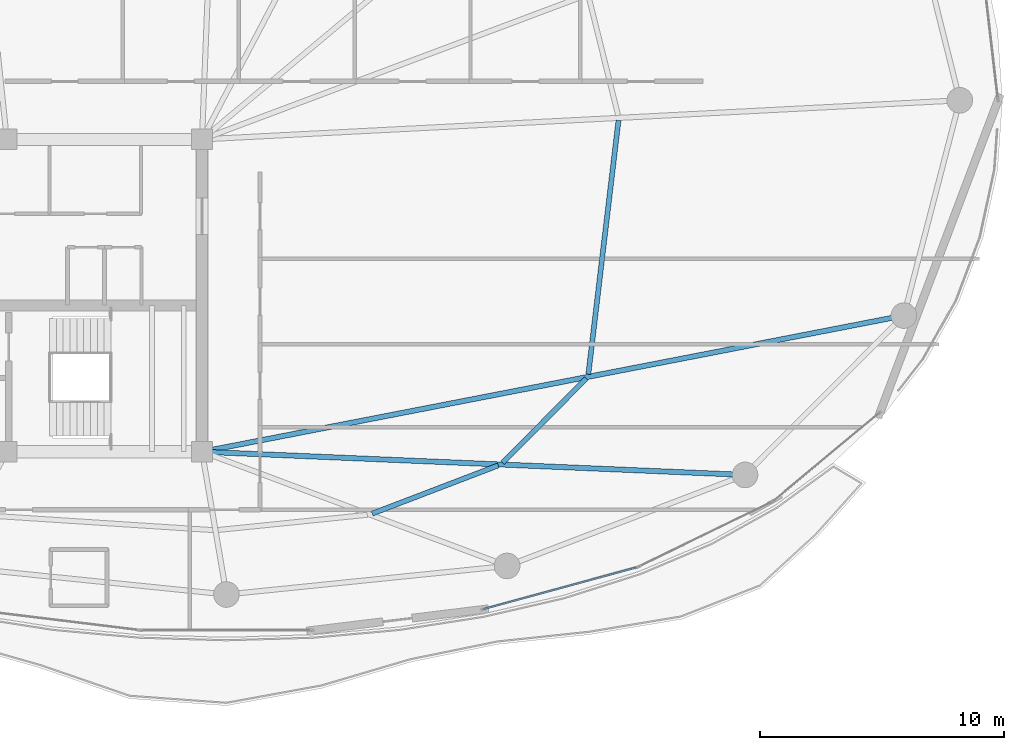
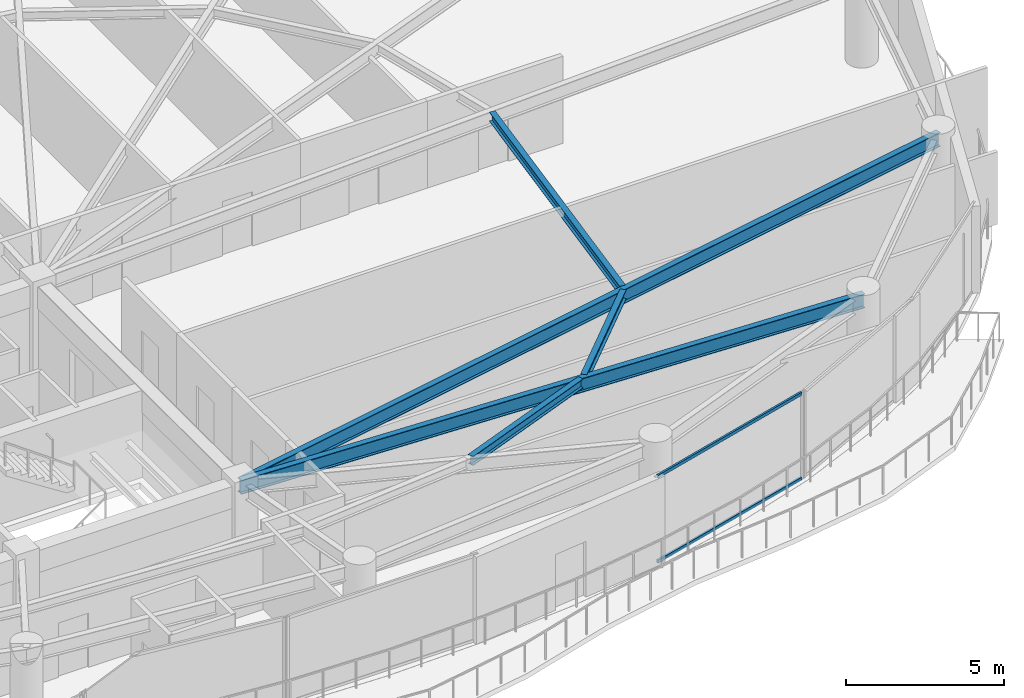
# One storey, part 12 of 31: 5 beams, 2 members, 1 element without a shape of its own.
"""IFC4 building model written with IfcOpenShell, lengths in metres."""

from ifc_helpers import new_model, si_unit, direction, frame, origin, origin_2d, place, context, subcontext, project, spatial, hollow_rectangle, i_section, extrude, material, layer, layer_set, material_profile, profile_set, type_object, element, aggregate, save


model = new_model("IFC4")

# Units and contexts
model_context = context("Model", 3, precision=1e-05, world=origin(), true_north=direction((0.0, 1.0)))
body_context = subcontext(model_context, "Body", "Model", "MODEL_VIEW")
ifc_project = project(units=[si_unit("LENGTHUNIT", "METRE"), si_unit("AREAUNIT", "SQUARE_METRE"), si_unit("VOLUMEUNIT", "CUBIC_METRE"), si_unit("PLANEANGLEUNIT", "RADIAN"), si_unit("MASSUNIT", "GRAM", prefix="KILO")], contexts=[model_context])

# Site, building, storey
site_placement = place(None, origin())
site = spatial("IfcSite", under=ifc_project, at=site_placement, CompositionType="ELEMENT")
building_placement = place(site_placement, origin())
building = spatial("IfcBuilding", under=site, at=building_placement, Name="Kazevale Care Tower and Concert Hall", CompositionType="ELEMENT")
storey_placement = place(building_placement, frame((0.0, 0.0, 206.39990234375)))
storey = spatial("IfcBuildingStorey", under=building, at=storey_placement, Name="L54", CompositionType="ELEMENT", Elevation=206.39990234375)

# Curtain wall, members
ifc_material_1 = material(Name="Aluminium 6063-T6 and Low-E Glass", Category="aluminium")
ifc_layer = layer(ifc_material_1, 0.179931640625)
ifc_layer_set = layer_set([ifc_layer], Name="Aluminium 6063-T6 and Low-E Glass")
curtain_wall_type = type_object("IfcCurtainWallType", Name="Sheltered Concave Balcony Curtain Wall CW-5", PredefinedType="NOTDEFINED", material=ifc_layer_set)
curtain_wall_placement = place(storey_placement, origin())
curtain_wall = element("IfcCurtainWall", 1, at=curtain_wall_placement, inside=storey, type_object=curtain_wall_type, Name="cw:L54:f04", PredefinedType="NOTDEFINED")
ifc_material_2 = material(Name="Aluminium 6063-T6", Category="aluminium")
ifc_material_profile_1 = material_profile(ifc_material_2, hollow_rectangle(XDim=0.074951171875, YDim=0.1201171875, WallThickness=0.00390625, at=origin_2d()), Name="ALU75x120x4")
ifc_profile_set_1 = profile_set([ifc_material_profile_1], Name="Aluminium 6063-T6")
member_type = type_object("IfcMemberType", Name="CW-5 Transom ALU75x120x4", PredefinedType="USERDEFINED", material=ifc_profile_set_1)
member_1_placement = place(storey_placement, frame((61.78369140625, 18.853271484375, 0.03759765625), z_axis=(-0.964843890632, -0.262823641842, 0.0), x_axis=(0.262823641842, -0.964843890632, 0.0)))
member_1 = element("IfcMember", 2, at=member_1_placement, type_object=member_type, Name="CW-5 transom 1.1", ObjectType="TRANSOM", PredefinedType="USERDEFINED", context=body_context, shape_type="SweptSolid", body=[
    extrude(hollow_rectangle(XDim=0.074951171875, YDim=0.1201171875, WallThickness=0.00390625, at=origin_2d()), origin(), (0.0, 0.0, 1.0), 6.469970703125),
])
member_2_placement = place(storey_placement, frame((61.78369140625, 18.853271484375, 3.322509765625), z_axis=(-0.964843890632, -0.262823641842, 0.0), x_axis=(0.262823641842, -0.964843890632, 0.0)))
member_2 = element("IfcMember", 3, at=member_2_placement, type_object=member_type, Name="CW-5 transom 1.2", ObjectType="TRANSOM", PredefinedType="USERDEFINED", context=body_context, shape_type="SweptSolid", body=[
    extrude(hollow_rectangle(XDim=0.074951171875, YDim=0.1201171875, WallThickness=0.00390625, at=origin_2d()), origin(), (0.0, 0.0, 1.0), 6.469970703125),
])
aggregate(curtain_wall, [member_1, member_2])

# Beams
ifc_material_3 = material(Name="Steel ASTM A572 Gr 50", Category="steel")
ifc_material_profile_2 = material_profile(ifc_material_3, i_section(OverallWidth=0.2119140625, OverallDepth=0.5439453125, WebThickness=0.01318359375, FlangeThickness=0.021240234375, at=origin_2d()), Name="W530x123")
ifc_profile_set_2 = profile_set([ifc_material_profile_2], Name="Steel ASTM A572 Gr 50")
beam_type_1 = type_object("IfcBeamType", Name="Radial Floor Girder W530x123", PredefinedType="BEAM", material=ifc_profile_set_2)
beam_1_placement = place(storey_placement, frame((44.0, 23.60009765625, 3.088134765625), z_axis=(0.999089369477, -0.042666518456, 0.0), x_axis=(0.042666518456, 0.999089369477, 0.0)))
element("IfcBeam", 4, at=beam_1_placement, inside=storey, type_object=beam_type_1, Name="beam:L54:rad:15", PredefinedType="BEAM", context=body_context, shape_type="SweptSolid", body=[
    extrude(i_section(OverallWidth=0.2119140625, OverallDepth=0.5439453125, WebThickness=0.01318359375, FlangeThickness=0.021240234375, at=origin_2d()), origin(), (0.0, 0.0, 1.0), 22.270263671875),
])
beam_2_placement = place(storey_placement, frame((44.0, 23.60009765625, 3.088134765625), z_axis=(0.981694544574, 0.190462125247, 0.0), x_axis=(-0.190462125247, 0.981694544574, 0.0)))
element("IfcBeam", 5, at=beam_2_placement, inside=storey, type_object=beam_type_1, Name="beam:L54:rad:16", PredefinedType="BEAM", context=body_context, shape_type="SweptSolid", body=[
    extrude(i_section(OverallWidth=0.2119140625, OverallDepth=0.5439453125, WebThickness=0.01318359375, FlangeThickness=0.021240234375, at=origin_2d()), origin(), (0.0, 0.0, 1.0), 29.29638671875),
])
ifc_material_profile_3 = material_profile(ifc_material_3, i_section(OverallWidth=0.205078125, OverallDepth=0.35400390625, WebThickness=0.009521484375, FlangeThickness=0.016845703125, at=origin_2d()), Name="W360x79")
ifc_profile_set_3 = profile_set([ifc_material_profile_3], Name="Steel ASTM A572 Gr 50")
beam_type_2 = type_object("IfcBeamType", Name="Secondary Floor Joist W360x79", PredefinedType="JOIST", material=ifc_profile_set_3)
beam_3_placement = place(storey_placement, frame((50.972900390625, 21.06396484375, 3.18310546875), z_axis=(0.934001589337, 0.35726884991, 0.0), x_axis=(-0.35726884991, 0.934001589337, 0.0)))
element("IfcBeam", 6, at=beam_3_placement, inside=storey, type_object=beam_type_2, Name="beam:L54:joist:14", PredefinedType="JOIST", context=body_context, shape_type="SweptSolid", body=[
    extrude(i_section(OverallWidth=0.205078125, OverallDepth=0.35400390625, WebThickness=0.009521484375, FlangeThickness=0.016845703125, at=origin_2d()), origin(), (0.0, 0.0, 1.0), 5.531005859375),
])
beam_4_placement = place(storey_placement, frame((56.31201171875, 23.152099609375, 3.18310546875), z_axis=(0.705975874919, 0.708235881633, 0.0), x_axis=(-0.708235881633, 0.705975874919, 0.0)))
element("IfcBeam", 7, at=beam_4_placement, inside=storey, type_object=beam_type_2, Name="beam:L54:joist:15", PredefinedType="JOIST", context=body_context, shape_type="SweptSolid", body=[
    extrude(i_section(OverallWidth=0.205078125, OverallDepth=0.35400390625, WebThickness=0.009521484375, FlangeThickness=0.016845703125, at=origin_2d()), origin(), (0.0, 0.0, 1.0), 4.861083984375),
])
beam_5_placement = place(storey_placement, frame((59.830078125, 26.77294921875, 3.18310546875), z_axis=(0.117874218468, 0.993028533639, 0.0), x_axis=(-0.993028533639, 0.117874218468, 0.0)))
element("IfcBeam", 8, at=beam_5_placement, inside=storey, type_object=beam_type_2, Name="beam:L54:joist:16", PredefinedType="JOIST", context=body_context, shape_type="SweptSolid", body=[
    extrude(i_section(OverallWidth=0.205078125, OverallDepth=0.35400390625, WebThickness=0.009521484375, FlangeThickness=0.016845703125, at=origin_2d()), origin(), (0.0, 0.0, 1.0), 10.47607421875),
])

save(model, "model.ifc")
